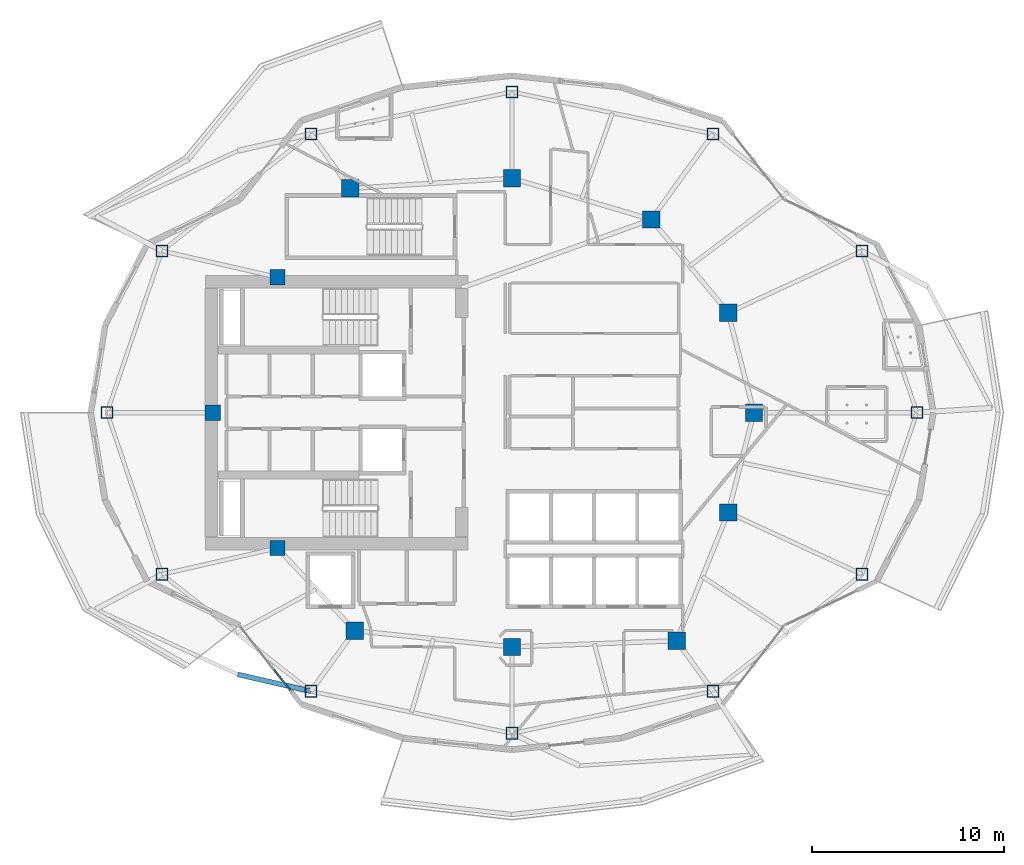
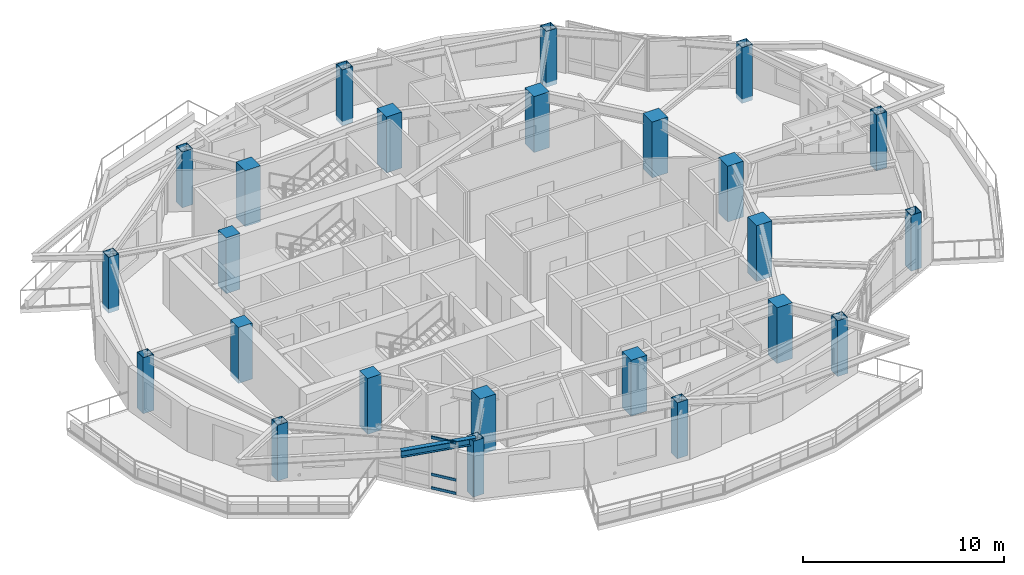
# One storey, part 1 of 18: 24 columns, 3 members, 1 beam, 1 element without a shape of its own.
"""IFC4 building model written with IfcOpenShell, lengths in metres."""

from ifc_helpers import new_model, si_unit, direction, frame, origin, origin_2d, place, context, subcontext, project, spatial, rectangle, hollow_rectangle, i_section, extrude, material, layer, layer_set, material_profile, profile_set, type_object, element, aggregate, save


model = new_model("IFC4")

# Units and contexts
model_context = context("Model", 3, precision=1e-05, world=origin(), true_north=direction((0.0, 1.0)))
body_context = subcontext(model_context, "Body", "Model", "MODEL_VIEW")
ifc_project = project(units=[si_unit("LENGTHUNIT", "METRE"), si_unit("AREAUNIT", "SQUARE_METRE"), si_unit("VOLUMEUNIT", "CUBIC_METRE"), si_unit("PLANEANGLEUNIT", "RADIAN"), si_unit("MASSUNIT", "GRAM", prefix="KILO")], contexts=[model_context])

# Site, building, storey
site_placement = place(None, origin())
site = spatial("IfcSite", under=ifc_project, at=site_placement, CompositionType="ELEMENT")
building_placement = place(site_placement, origin())
building = spatial("IfcBuilding", under=site, at=building_placement, Name="Kolvaren Gate Tower and Convention Centre", CompositionType="ELEMENT")
storey_placement = place(building_placement, frame((0.0, 0.0, 176.699951171875)))
storey = spatial("IfcBuildingStorey", under=building, at=storey_placement, Name="L46", CompositionType="ELEMENT", Elevation=176.699951171875)

# Columns
ifc_material_1 = material(Name="Structural steel ASTM A1085 Grade A 345 MPa", Category="steel")
ifc_material_profile_1 = material_profile(ifc_material_1, hollow_rectangle(XDim=0.610107421875, YDim=0.610107421875, WallThickness=0.025390625, at=origin_2d()), Name="HSS610X610X25.4")
ifc_profile_set_1 = profile_set([ifc_material_profile_1], Name="Structural steel ASTM A1085 Grade A 345 MPa")
column_type_1 = type_object("IfcColumnType", Name="STR-COL-HSS610", PredefinedType="COLUMN", material=ifc_profile_set_1)
for number, where, z_axis, x_axis, name in (
    (1, (51.21240234375, 27.0, -0.27001953125), (0.0, 0.0, 1.0), (1.0, 0.0, 0.0), "Tower L46 Perimeter Supercolumn TP-01"),
    (2, (48.351806640625, 35.418701171875, -0.27001953125), (0.0, 0.0, 1.0), (1.0, 0.0, 0.0), "Tower L46 Perimeter Supercolumn TP-02"),
    (3, (40.596435546875, 41.509521484375, -0.27001953125), (0.0, 0.0, 1.0), (1.0, 0.0, 0.0), "Tower L46 Perimeter Supercolumn TP-03"),
    (4, (30.125, 43.699951171875, -0.27001953125), (0.0, 0.0, 1.0), (1.0, 0.0, 0.0), "Tower L46 Perimeter Supercolumn TP-04"),
    (5, (19.65380859375, 41.509521484375, -0.27001953125), (0.0, 0.0, 1.0), (1.0, 0.0, 0.0), "Tower L46 Perimeter Supercolumn TP-05"),
    (6, (11.898193359375, 35.418701171875, -0.27001953125), (0.0, 0.0, 1.0), (1.0, 0.0, 0.0), "Tower L46 Perimeter Supercolumn TP-06"),
    (7, (9.03759765625, 27.0, -0.27001953125), (0.0, 0.0, 1.0), (1.0, 0.0, 0.0), "Tower L46 Perimeter Supercolumn TP-07"),
    (8, (11.898193359375, 18.581298828125, -0.27001953125), (0.0, 0.0, 1.0), (1.0, 0.0, 0.0), "Tower L46 Perimeter Supercolumn TP-08"),
    (9, (19.653564453125, 12.490478515625, -0.27001953125), (0.0, 0.0, 1.0), (1.0, 0.0, 0.0), "Tower L46 Perimeter Supercolumn TP-09"),
    (10, (30.125, 10.300048828125, -0.27001953125), (0.0, 0.0, 1.0), (1.0, 0.0, 0.0), "Tower L46 Perimeter Supercolumn TP-10"),
    (11, (40.596435546875, 12.490478515625, -0.27001953125), (0.0, 0.0, 1.0), (1.0, 0.0, 0.0), "Tower L46 Perimeter Supercolumn TP-11"),
    (12, (48.351806640625, 18.581298828125, -0.27001953125), (0.0, 0.0, 1.0), (1.0, 0.0, 0.0), "Tower L46 Perimeter Supercolumn TP-12"),
):
    element("IfcColumn", number, at=place(storey_placement, frame(where, z_axis=z_axis, x_axis=x_axis)), inside=storey, type_object=column_type_1, Name=name, PredefinedType="COLUMN", context=body_context, shape_type="SweptSolid", body=[
        extrude(hollow_rectangle(XDim=0.610107421875, YDim=0.610107421875, WallThickness=0.025390625, at=origin_2d()), origin(), (0.0, 0.0, 1.0), 3.400146484375),
    ])
ifc_material_2 = material(Name="Concrete C60/75", Category="concrete")
ifc_material_profile_2 = material_profile(ifc_material_2, rectangle(XDim=0.89990234375, YDim=0.89990234375, at=origin_2d()), Name="RC-COL-900X900")
ifc_profile_set_2 = profile_set([ifc_material_profile_2], Name="Concrete C60/75")
column_type_2 = type_object("IfcColumnType", Name="STR-COL-RC900", PredefinedType="COLUMN", material=ifc_profile_set_2)
for number, where, z_axis, x_axis, name in (
    (13, (42.72509765625, 27.0, -0.27001953125), (0.0, 0.0, 1.0), (1.0, 0.0, 0.0), "Tower L46 Interior Column TI-01"),
    (14, (41.382080078125, 32.199462890625, -0.27001953125), (0.0, 0.0, 1.0), (1.0, 0.0, 0.0), "Tower L46 Interior Column TI-02"),
    (15, (37.381591796875, 37.054931640625, -0.27001953125), (0.0, 0.0, 1.0), (1.0, 0.0, 0.0), "Tower L46 Interior Column TI-03"),
    (16, (30.125, 39.199951171875, -0.27001953125), (0.0, 0.0, 1.0), (1.0, 0.0, 0.0), "Tower L46 Interior Column TI-04"),
    (17, (21.697998046875, 38.6767578125, -0.27001953125), (0.0, 0.0, 1.0), (1.0, 0.0, 0.0), "Tower L46 Interior Column TI-05"),
    (18, (21.93212890625, 15.647705078125, -0.27001953125), (0.0, 0.0, 1.0), (1.0, 0.0, 0.0), "Tower L46 Interior Column TI-06"),
    (19, (30.125, 14.800048828125, -0.27001953125), (0.0, 0.0, 1.0), (1.0, 0.0, 0.0), "Tower L46 Interior Column TI-07"),
    (20, (38.6982421875, 15.12060546875, -0.27001953125), (0.0, 0.0, 1.0), (1.0, 0.0, 0.0), "Tower L46 Interior Column TI-08"),
    (21, (41.382080078125, 21.800537109375, -0.27001953125), (0.0, 0.0, 1.0), (1.0, 0.0, 0.0), "Tower L46 Interior Column TI-09"),
):
    element("IfcColumn", number, at=place(storey_placement, frame(where, z_axis=z_axis, x_axis=x_axis)), inside=storey, type_object=column_type_2, Name=name, PredefinedType="COLUMN", context=body_context, shape_type="SweptSolid", body=[
        extrude(rectangle(XDim=0.89990234375, YDim=0.89990234375, at=origin_2d()), origin(), (0.0, 0.0, 1.0), 3.400146484375),
    ])
ifc_material_profile_3 = material_profile(ifc_material_2, rectangle(XDim=0.800048828125, YDim=0.800048828125, at=origin_2d()), Name="RC-COL-800X800")
ifc_profile_set_3 = profile_set([ifc_material_profile_3], Name="Concrete C60/75")
column_type_3 = type_object("IfcColumnType", Name="STR-PIL-RC800", PredefinedType="PILASTER", material=ifc_profile_set_3)
for number, where, z_axis, x_axis, name in (
    (22, (17.9140625, 34.050048828125, -0.27001953125), (0.0, 0.0, 1.0), (1.0, 0.0, 0.0), "Tower L46 Core Boundary Pilaster TC-05"),
    (23, (14.550048828125, 27.0, -0.27001953125), (0.0, 0.0, 1.0), (1.0, 0.0, 0.0), "Tower L46 Core Boundary Pilaster TC-06"),
    (24, (17.9140625, 19.949951171875, -0.27001953125), (0.0, 0.0, 1.0), (1.0, 0.0, 0.0), "Tower L46 Core Boundary Pilaster TC-07"),
):
    element("IfcColumn", number, at=place(storey_placement, frame(where, z_axis=z_axis, x_axis=x_axis)), inside=storey, type_object=column_type_3, Name=name, PredefinedType="PILASTER", context=body_context, shape_type="SweptSolid", body=[
        extrude(rectangle(XDim=0.800048828125, YDim=0.800048828125, at=origin_2d()), origin(), (0.0, 0.0, 1.0), 3.400146484375),
    ])

# Curtain wall, members
ifc_material_3 = material(Name="Anodized Architectural Aluminium Alloy 6063-T6", Category="aluminium")
ifc_layer = layer(ifc_material_3, 0.159912109375)
ifc_layer_set = layer_set([ifc_layer], Name="Anodized Architectural Aluminium Alloy 6063-T6")
curtain_wall_type = type_object("IfcCurtainWallType", Name="CW-HTL-UNIT", PredefinedType="NOTDEFINED", material=ifc_layer_set)
curtain_wall_placement = place(storey_placement, origin())
curtain_wall = element("IfcCurtainWall", 25, at=curtain_wall_placement, inside=storey, type_object=curtain_wall_type, Name="Tower L46 Unitised Curtain Wall CW-HTL-UNIT Bay 15", PredefinedType="NOTDEFINED")
ifc_material_profile_4 = material_profile(ifc_material_3, rectangle(XDim=0.06494140625, YDim=0.159912109375, at=origin_2d()), Name="CW-MEM-TRN-160")
ifc_profile_set_4 = profile_set([ifc_material_profile_4], Name="Anodized Architectural Aluminium Alloy 6063-T6")
member_type = type_object("IfcMemberType", Name="CW-MEM-TRN-160", PredefinedType="USERDEFINED", material=ifc_profile_set_4)
member_1_placement = place(storey_placement, frame((17.742919921875, 13.6064453125, 0.032470703125), z_axis=(0.616376452985, -0.787451629121, 0.0), x_axis=(0.787451629121, 0.616376452985, 0.0)))
member_1 = element("IfcMember", 26, at=member_1_placement, type_object=member_type, Name="CW-03 transom 3.1", ObjectType="TRANSOM", PredefinedType="USERDEFINED", context=body_context, shape_type="SweptSolid", body=[
    extrude(rectangle(XDim=0.06494140625, YDim=0.159912109375, at=origin_2d()), origin(), (0.0, 0.0, 1.0), 1.3515625),
])
member_2_placement = place(storey_placement, frame((17.742919921875, 13.6064453125, 0.85009765625), z_axis=(0.616376452985, -0.787451629121, 0.0), x_axis=(0.787451629121, 0.616376452985, 0.0)))
member_2 = element("IfcMember", 27, at=member_2_placement, type_object=member_type, Name="CW-03 transom 3.2", ObjectType="TRANSOM", PredefinedType="USERDEFINED", context=body_context, shape_type="SweptSolid", body=[
    extrude(rectangle(XDim=0.06494140625, YDim=0.159912109375, at=origin_2d()), origin(), (0.0, 0.0, 1.0), 1.3515625),
])
member_3_placement = place(storey_placement, frame((17.742919921875, 13.6064453125, 3.09765625), z_axis=(0.616376452985, -0.787451629121, 0.0), x_axis=(0.787451629121, 0.616376452985, 0.0)))
member_3 = element("IfcMember", 28, at=member_3_placement, type_object=member_type, Name="CW-03 transom 3.3", ObjectType="TRANSOM", PredefinedType="USERDEFINED", context=body_context, shape_type="SweptSolid", body=[
    extrude(rectangle(XDim=0.06494140625, YDim=0.159912109375, at=origin_2d()), origin(), (0.0, 0.0, 1.0), 1.3515625),
])
aggregate(curtain_wall, [member_1, member_2, member_3])

# Beam
ifc_material_4 = material(Name="Structural steel ASTM A992 Grade 345 MPa", Category="steel")
ifc_material_profile_5 = material_profile(ifc_material_4, i_section(OverallWidth=0.260009765625, OverallDepth=0.419921875, WebThickness=0.013427734375, FlangeThickness=0.0224609375, at=origin_2d()), Name="W410X132")
ifc_profile_set_5 = profile_set([ifc_material_profile_5], Name="Structural steel ASTM A992 Grade 345 MPa")
beam_type = type_object("IfcBeamType", Name="STR-BM-W410X132", PredefinedType="BEAM", material=ifc_profile_set_5)
beam_placement = place(storey_placement, frame((19.653564453125, 12.490478515625, 2.920654296875), z_axis=(-0.974390140605, 0.224864078706, 0.0), x_axis=(-0.224864078706, -0.974390140605, 0.0)))
element("IfcBeam", 29, at=beam_placement, inside=storey, type_object=beam_type, Name="Tower L47 Planted Balcony Outrigger Cantilever BC-2B", PredefinedType="BEAM", context=body_context, shape_type="SweptSolid", body=[
    extrude(i_section(OverallWidth=0.260009765625, OverallDepth=0.419921875, WebThickness=0.013427734375, FlangeThickness=0.0224609375, at=origin_2d()), origin(), (0.0, 0.0, 1.0), 3.89990234375),
])

save(model, "model.ifc")
